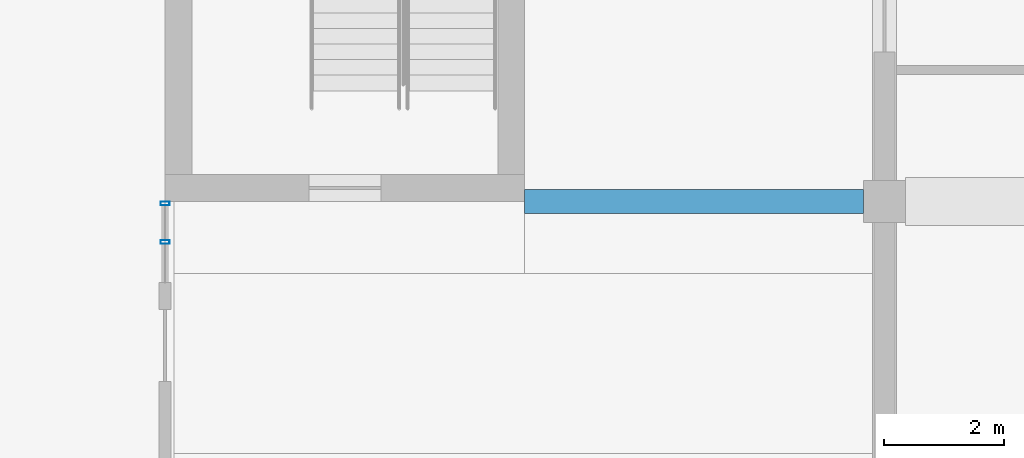
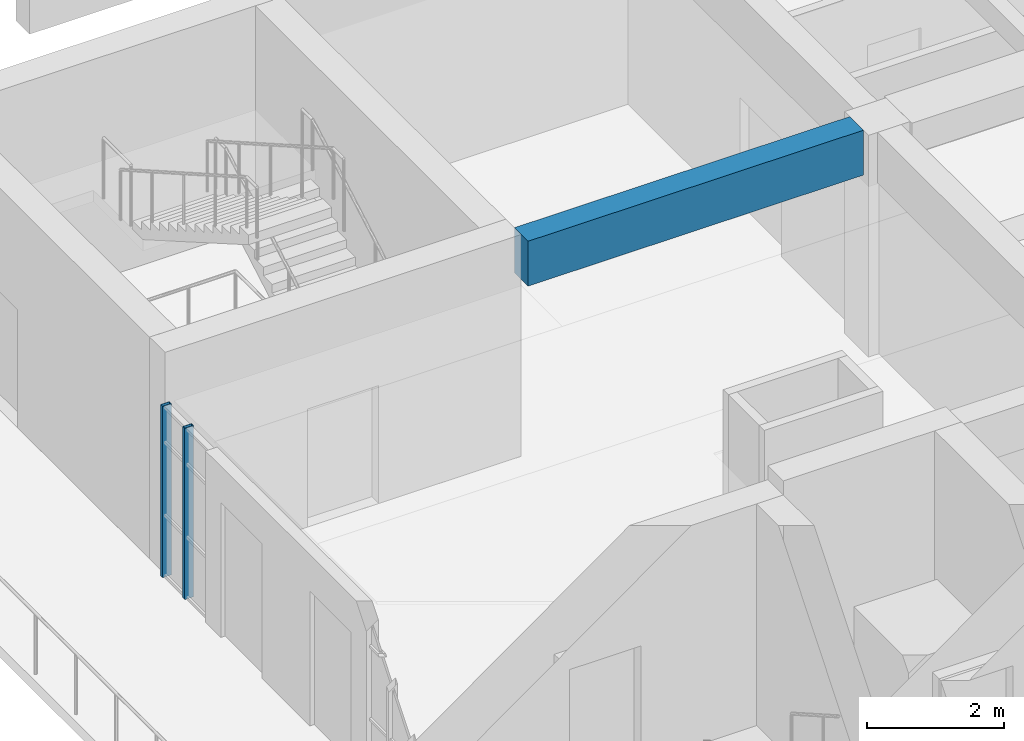
# One storey, part 23 of 103: 2 members, 1 beam, 1 element without a shape of its own.
"""IFC4 building model written with IfcOpenShell, lengths in metres."""

from ifc_helpers import new_model, si_unit, direction, frame, origin, origin_2d, place, context, subcontext, project, spatial, rectangle, hollow_rectangle, extrude, material, material_profile, profile_set, type_object, element, aggregate, save


model = new_model("IFC4")

# Units and contexts
model_context = context("Model", 3, precision=1e-05, world=origin(), true_north=direction((0.0, 1.0)))
body_context = subcontext(model_context, "Body", "Model", "MODEL_VIEW")
ifc_project = project(units=[si_unit("LENGTHUNIT", "METRE"), si_unit("AREAUNIT", "SQUARE_METRE"), si_unit("VOLUMEUNIT", "CUBIC_METRE"), si_unit("PLANEANGLEUNIT", "RADIAN"), si_unit("MASSUNIT", "GRAM", prefix="KILO")], contexts=[model_context])

# Site, building, storey
site_placement = place(None, origin())
site = spatial("IfcSite", under=ifc_project, at=site_placement, CompositionType="ELEMENT")
building_placement = place(site_placement, origin())
building = spatial("IfcBuilding", under=site, at=building_placement, Name="Laocheng Heights Fire and Rescue Headquarters", CompositionType="ELEMENT")
storey_placement = place(building_placement, frame((0.0, 0.0, 4.199951171875)))
storey = spatial("IfcBuildingStorey", under=building, at=storey_placement, Name="L01", CompositionType="ELEMENT", Elevation=4.199951171875)

# Curtain wall, members
ifc_material_1 = material(Name="Dark anodised aluminium unitised curtain wall, low-e double glazing", Category="aluminium")
curtain_wall_type = type_object("IfcCurtainWallType", Name="CW 1350 x 3050 FOYER GLAZING", PredefinedType="NOTDEFINED", material=ifc_material_1)
curtain_wall_placement = place(storey_placement, origin())
curtain_wall = element("IfcCurtainWall", 1, at=curtain_wall_placement, inside=storey, type_object=curtain_wall_type, Name="X2-V FOYER WEST L01", PredefinedType="NOTDEFINED")
ifc_material_2 = material(Name="Dark anodised aluminium 6063-T5 extrusion", Category="aluminium")
ifc_material_profile_1 = material_profile(ifc_material_2, hollow_rectangle(XDim=0.14990234375, YDim=0.06005859375, WallThickness=0.0029296875, at=origin_2d()), Name="AL MULLION 150x60x3 FOYER GLAZING")
ifc_profile_set_1 = profile_set([ifc_material_profile_1], Name="Dark anodised aluminium 6063-T5 extrusion")
member_type = type_object("IfcMemberType", Name="AL MULLION 150x60x3 FOYER GLAZING", PredefinedType="MULLION", material=ifc_profile_set_1)
member_1_placement = place(storey_placement, frame((0.0, 49.72509765625, 0.0), z_axis=(0.0, 0.0, 1.0), x_axis=(-1.0, 0.0, 0.0)))
member_1 = element("IfcMember", 2, at=member_1_placement, type_object=member_type, Name="X2-V mullion 2", PredefinedType="MULLION", context=body_context, shape_type="SweptSolid", body=[
    extrude(hollow_rectangle(XDim=0.14990234375, YDim=0.06005859375, WallThickness=0.0029296875, at=origin_2d()), origin(), (0.0, 0.0, 1.0), 3.050048828125),
])
member_2_placement = place(storey_placement, frame((0.0, 50.3701171875, 0.0), z_axis=(0.0, 0.0, 1.0), x_axis=(-1.0, 0.0, 0.0)))
member_2 = element("IfcMember", 3, at=member_2_placement, type_object=member_type, Name="X2-V mullion 3", PredefinedType="MULLION", context=body_context, shape_type="SweptSolid", body=[
    extrude(hollow_rectangle(XDim=0.14990234375, YDim=0.06005859375, WallThickness=0.0029296875, at=origin_2d()), origin(), (0.0, 0.0, 1.0), 3.050048828125),
])
aggregate(curtain_wall, [member_1, member_2])

# Beam
ifc_material_3 = material(Name="Concrete C40", Category="concrete")
ifc_material_profile_2 = material_profile(ifc_material_3, rectangle(XDim=0.39990234375, YDim=0.800048828125, at=origin_2d()), Name="RC BEAM 400x800 FOYER")
ifc_profile_set_2 = profile_set([ifc_material_profile_2], Name="Concrete C40")
beam_type = type_object("IfcBeamType", Name="RC BEAM 400x800 FOYER", PredefinedType="BEAM", material=ifc_profile_set_2)
beam_placement = place(storey_placement, frame((6.0, 50.39990234375, 3.550048828125), z_axis=(1.0, 0.0, 0.0), x_axis=(0.0, 1.0, 0.0)))
element("IfcBeam", 4, at=beam_placement, inside=storey, type_object=beam_type, Name="Foyer beam L01", PredefinedType="BEAM", context=body_context, shape_type="SweptSolid", body=[
    extrude(rectangle(XDim=0.39990234375, YDim=0.800048828125, at=origin_2d()), origin(), (0.0, 0.0, 1.0), 5.64990234375),
])

save(model, "model.ifc")
